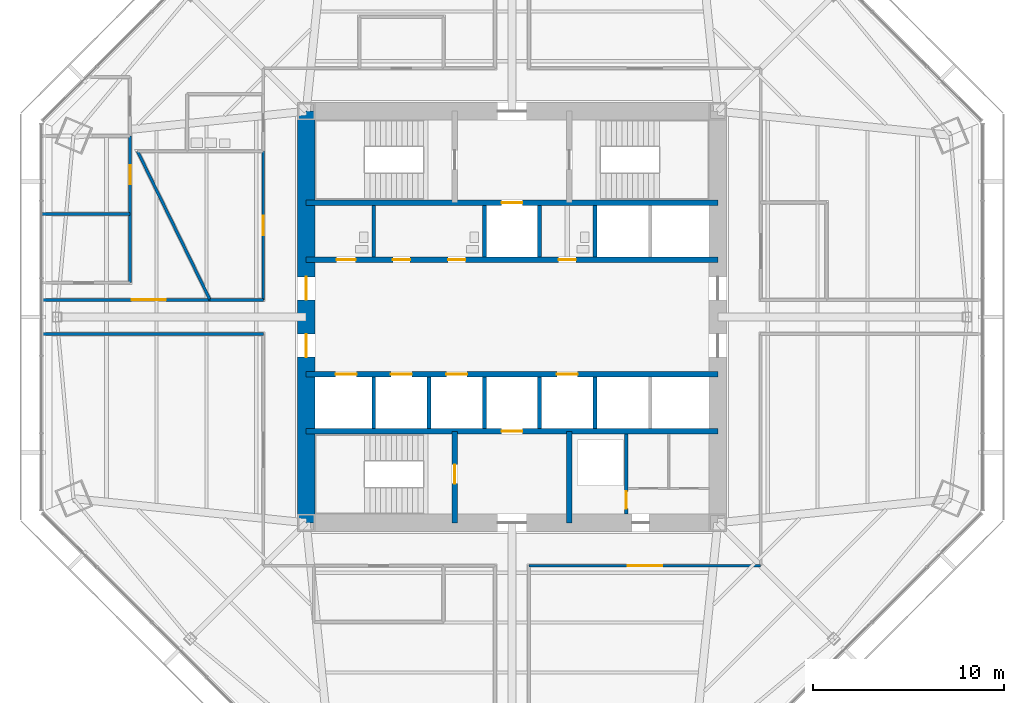
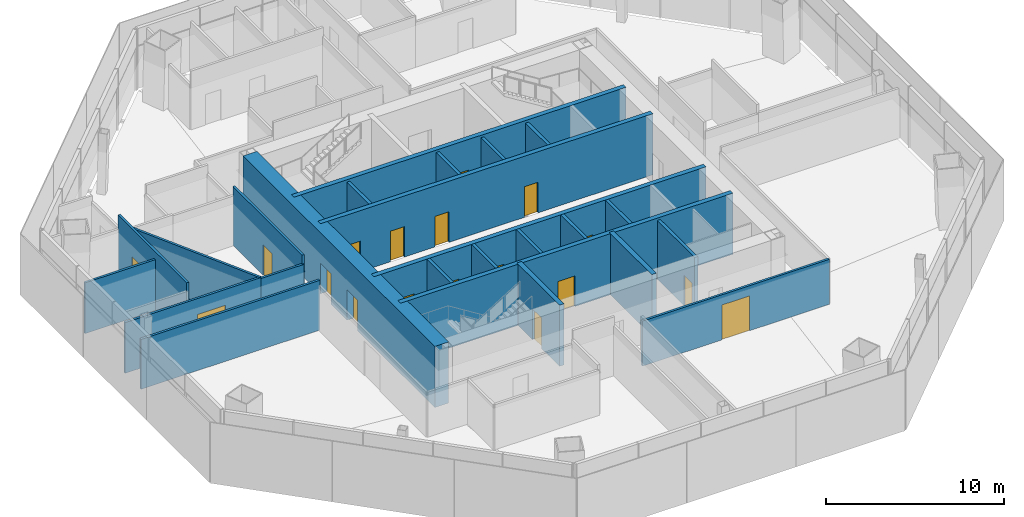
# One storey, part 9 of 14: 25 walls, 18 doors, 18 openings.
"""IFC4 building model written with IfcOpenShell, lengths in metres."""

from ifc_helpers import new_model, si_unit, direction, frame, frame_2d, origin, place, context, subcontext, project, spatial, rectangle, extrude, material, layer, layer_set, type_object, element, fill, save


model = new_model("IFC4")

# Units and contexts
model_context = context("Model", 3, precision=1e-05, world=origin(), true_north=direction((0.0, 1.0)))
body_context = subcontext(model_context, "Body", "Model", "MODEL_VIEW")
ifc_project = project(units=[si_unit("LENGTHUNIT", "METRE"), si_unit("AREAUNIT", "SQUARE_METRE"), si_unit("VOLUMEUNIT", "CUBIC_METRE"), si_unit("PLANEANGLEUNIT", "RADIAN"), si_unit("MASSUNIT", "GRAM", prefix="KILO")], contexts=[model_context])

# Site, building, storey
site_placement = place(None, origin())
site = spatial("IfcSite", under=ifc_project, at=site_placement, CompositionType="ELEMENT")
building_placement = place(site_placement, origin())
building = spatial("IfcBuilding", under=site, at=building_placement, Name="Mashrafa Tower", CompositionType="ELEMENT")
storey_placement = place(building_placement, frame((0.0, 0.0, 117.60009765625)))
storey = spatial("IfcBuildingStorey", under=building, at=storey_placement, Name="L26", CompositionType="ELEMENT", Elevation=117.60009765625)

# Wall, opening, door
ifc_material_1 = material(Name="Concrete masonry unit", Category="masonry")
ifc_layer_1 = layer(ifc_material_1, 0.199951171875)
ifc_layer_set_1 = layer_set([ifc_layer_1], Name="Blockwork wall 200 2 hr")
wall_type_1 = type_object("IfcWallType", Name="Blockwork wall 200 2 hr", PredefinedType="PARTITIONING", material=ifc_layer_set_1)
wall_1_placement = place(storey_placement, frame((6.0, -10.35009765625, 0.0), z_axis=(0.0, 0.0, 1.0), x_axis=(0.0, 1.0, 0.0)))
wall_1 = element("IfcWall", 1, at=wall_1_placement, inside=storey, type_object=wall_type_1, Name="Riser enclosure wall L26", PredefinedType="PARTITIONING", context=body_context, shape_type="SweptSolid", body=[
    extrude(rectangle(XDim=4.2001953125, YDim=0.199951171875, at=frame_2d((2.10009765625, 0.0))), origin(), (0.0, 0.0, 1.0), 4.034912109375),
])
opening_1_placement = place(wall_1_placement, frame((0.300048828125, 0.0, 0.0)))
opening_1 = element("IfcOpeningElement", 2, at=opening_1_placement, cuts=wall_1, Name="Opening 26.028", PredefinedType="OPENING", context=body_context, shape_type="SweptSolid", body=[
    extrude(rectangle(XDim=0.89990234375, YDim=2.10009765625, at=frame_2d((0.449951171875, 1.050048828125))), frame((0.0, 0.10986328125, 0.0), z_axis=(0.0, -1.0, 0.0), x_axis=(1.0, 0.0, 0.0)), (0.0, 0.0, 1.0), 0.219970703125),
])
ifc_material_2 = material(Name="Steel door", Category="steel")
door_type_1 = type_object("IfcDoorType", Name="Service door 900 x 2100 90 min", OperationType="USERDEFINED", PredefinedType="DOOR", material=ifc_material_2)
door_1_placement = place(opening_1_placement, origin())
door_1 = element("IfcDoor", 3, at=door_1_placement, inside=storey, type_object=door_type_1, Name="Riser door L26", OperationType="SINGLE_SWING_LEFT", OverallHeight=2.10009765625, OverallWidth=0.89990234375, PredefinedType="DOOR", context=body_context, shape_type="SweptSolid", body=[
    extrude(rectangle(XDim=0.89990234375, YDim=2.10009765625, at=frame_2d((0.449951171875, 1.050048828125))), frame((0.0, 0.02490234375, 0.0), z_axis=(0.0, -1.0, 0.0), x_axis=(1.0, 0.0, 0.0)), (0.0, 0.0, 1.0), 0.050048828125),
])
fill(opening_1, door_1)

# Wall, openings, doors
ifc_material_3 = material(Name="Concrete C60/75", Category="concrete")
ifc_layer_2 = layer(ifc_material_3, 0.300048828125)
ifc_layer_set_2 = layer_set([ifc_layer_2], Name="Core wall 300 C60/75")
wall_type_2 = type_object("IfcWallType", Name="Core wall 300 C60/75", PredefinedType="SOLIDWALL", material=ifc_layer_set_2)
wall_2_placement = place(storey_placement, frame((-10.800048828125, 3.0, 0.0), z_axis=(0.0, 0.0, 1.0), x_axis=(1.0, 0.0, 0.0)))
wall_2 = element("IfcWall", 4, at=wall_2_placement, inside=storey, type_object=wall_type_2, Name="Core wall CH-N L26", PredefinedType="SOLIDWALL", context=body_context, shape_type="SweptSolid", body=[
    extrude(rectangle(XDim=21.60009765625, YDim=0.300048828125, at=frame_2d((10.800048828125, 0.0))), origin(), (0.0, 0.0, 1.0), 4.199951171875),
])
opening_2_placement = place(wall_2_placement, frame((1.60009765625, 0.0, 0.0)))
opening_2 = element("IfcOpeningElement", 5, at=opening_2_placement, cuts=wall_2, Name="Opening 26.031", PredefinedType="OPENING", context=body_context, shape_type="SweptSolid", body=[
    extrude(rectangle(XDim=1.0, YDim=2.10009765625, at=frame_2d((0.5, 1.050048828125))), frame((0.0, 0.159912109375, 0.0), z_axis=(0.0, -1.0, 0.0), x_axis=(1.0, 0.0, 0.0)), (0.0, 0.0, 1.0), 0.320068359375),
])
opening_3_placement = place(wall_2_placement, frame((4.550048828125, 0.0, 0.0)))
opening_3 = element("IfcOpeningElement", 6, at=opening_3_placement, cuts=wall_2, Name="Opening 26.032", PredefinedType="OPENING", context=body_context, shape_type="SweptSolid", body=[
    extrude(rectangle(XDim=0.89990234375, YDim=2.10009765625, at=frame_2d((0.449951171875, 1.050048828125))), frame((0.0, 0.159912109375, 0.0), z_axis=(0.0, -1.0, 0.0), x_axis=(1.0, 0.0, 0.0)), (0.0, 0.0, 1.0), 0.320068359375),
])
opening_4_placement = place(wall_2_placement, frame((7.449951171875, 0.0, 0.0)))
opening_4 = element("IfcOpeningElement", 7, at=opening_4_placement, cuts=wall_2, Name="Opening 26.033", PredefinedType="OPENING", context=body_context, shape_type="SweptSolid", body=[
    extrude(rectangle(XDim=0.89990234375, YDim=2.10009765625, at=frame_2d((0.449951171875, 1.050048828125))), frame((0.0, 0.159912109375, 0.0), z_axis=(0.0, -1.0, 0.0), x_axis=(1.0, 0.0, 0.0)), (0.0, 0.0, 1.0), 0.320068359375),
])
opening_5_placement = place(wall_2_placement, frame((13.25, 0.0, 0.0)))
opening_5 = element("IfcOpeningElement", 8, at=opening_5_placement, cuts=wall_2, Name="Opening 26.034", PredefinedType="OPENING", context=body_context, shape_type="SweptSolid", body=[
    extrude(rectangle(XDim=0.89990234375, YDim=2.10009765625, at=frame_2d((0.449951171875, 1.050048828125))), frame((0.0, 0.159912109375, 0.0), z_axis=(0.0, -1.0, 0.0), x_axis=(1.0, 0.0, 0.0)), (0.0, 0.0, 1.0), 0.320068359375),
])
ifc_material_4 = material(Name="Timber door", Category="wood")
door_type_2 = type_object("IfcDoorType", Name="Accessible toilet door 1000 x 2100", OperationType="USERDEFINED", PredefinedType="DOOR", material=ifc_material_4)
door_2_placement = place(opening_2_placement, origin())
door_2 = element("IfcDoor", 9, at=door_2_placement, inside=storey, type_object=door_type_2, Name="Accessible WC L26 door", OperationType="SINGLE_SWING_RIGHT", OverallHeight=2.10009765625, OverallWidth=1.0, PredefinedType="DOOR", context=body_context, shape_type="SweptSolid", body=[
    extrude(rectangle(XDim=1.0, YDim=2.10009765625, at=frame_2d((0.5, 1.050048828125))), frame((0.0, 0.02490234375, 0.0), z_axis=(0.0, -1.0, 0.0), x_axis=(1.0, 0.0, 0.0)), (0.0, 0.0, 1.0), 0.050048828125),
])
fill(opening_2, door_2)
ifc_material_5 = material(Name="Timber door", Category="wood")
door_type_3 = type_object("IfcDoorType", Name="Toilet door 900 x 2100", OperationType="USERDEFINED", PredefinedType="DOOR", material=ifc_material_5)
door_3_placement = place(opening_3_placement, origin())
door_3 = element("IfcDoor", 10, at=door_3_placement, inside=storey, type_object=door_type_3, Name="WC Male L26 door", OperationType="SINGLE_SWING_LEFT", OverallHeight=2.10009765625, OverallWidth=0.89990234375, PredefinedType="DOOR", context=body_context, shape_type="SweptSolid", body=[
    extrude(rectangle(XDim=0.89990234375, YDim=2.10009765625, at=frame_2d((0.449951171875, 1.050048828125))), frame((0.0, 0.02490234375, 0.0), z_axis=(0.0, -1.0, 0.0), x_axis=(1.0, 0.0, 0.0)), (0.0, 0.0, 1.0), 0.050048828125),
])
fill(opening_3, door_3)
door_4_placement = place(opening_4_placement, origin())
door_4 = element("IfcDoor", 11, at=door_4_placement, inside=storey, type_object=door_type_3, Name="WC Male L26 door", OperationType="SINGLE_SWING_RIGHT", OverallHeight=2.10009765625, OverallWidth=0.89990234375, PredefinedType="DOOR", context=body_context, shape_type="SweptSolid", body=[
    extrude(rectangle(XDim=0.89990234375, YDim=2.10009765625, at=frame_2d((0.449951171875, 1.050048828125))), frame((0.0, 0.02490234375, 0.0), z_axis=(0.0, -1.0, 0.0), x_axis=(1.0, 0.0, 0.0)), (0.0, 0.0, 1.0), 0.050048828125),
])
fill(opening_4, door_4)
door_5_placement = place(opening_5_placement, origin())
door_5 = element("IfcDoor", 12, at=door_5_placement, inside=storey, type_object=door_type_3, Name="WC Female L26 door", OperationType="SINGLE_SWING_LEFT", OverallHeight=2.10009765625, OverallWidth=0.89990234375, PredefinedType="DOOR", context=body_context, shape_type="SweptSolid", body=[
    extrude(rectangle(XDim=0.89990234375, YDim=2.10009765625, at=frame_2d((0.449951171875, 1.050048828125))), frame((0.0, 0.02490234375, 0.0), z_axis=(0.0, -1.0, 0.0), x_axis=(1.0, 0.0, 0.0)), (0.0, 0.0, 1.0), 0.050048828125),
])
fill(opening_5, door_5)

# Wall, opening, door
wall_3_placement = place(storey_placement, frame((-10.800048828125, 6.0, 0.0), z_axis=(0.0, 0.0, 1.0), x_axis=(1.0, 0.0, 0.0)))
wall_3 = element("IfcWall", 13, at=wall_3_placement, inside=storey, type_object=wall_type_2, Name="Core wall CB-N L26", PredefinedType="SOLIDWALL", context=body_context, shape_type="SweptSolid", body=[
    extrude(rectangle(XDim=21.60009765625, YDim=0.300048828125, at=frame_2d((10.800048828125, 0.0))), origin(), (0.0, 0.0, 1.0), 4.199951171875),
])
opening_6_placement = place(wall_3_placement, frame((10.25, 0.0, 0.0)))
opening_6 = element("IfcOpeningElement", 14, at=opening_6_placement, cuts=wall_3, Name="Opening 26.F1", PredefinedType="OPENING", context=body_context, shape_type="SweptSolid", body=[
    extrude(rectangle(XDim=1.10009765625, YDim=2.10009765625, at=frame_2d((0.550048828125, 1.050048828125))), frame((0.0, 0.159912109375, 0.0), z_axis=(0.0, -1.0, 0.0), x_axis=(1.0, 0.0, 0.0)), (0.0, 0.0, 1.0), 0.320068359375),
])
ifc_material_6 = material(Name="Steel door", Category="steel")
door_type_4 = type_object("IfcDoorType", Name="Lift landing door 1100 x 2100 90 min", OperationType="DOUBLE_DOOR_SLIDING", PredefinedType="DOOR", material=ifc_material_6)
door_6_placement = place(opening_6_placement, origin())
door_6 = element("IfcDoor", 15, at=door_6_placement, inside=storey, type_object=door_type_4, Name="Lift landing door F1 L26", OperationType="DOUBLE_DOOR_SLIDING", OverallHeight=2.10009765625, OverallWidth=1.10009765625, PredefinedType="DOOR", context=body_context, shape_type="SweptSolid", body=[
    extrude(rectangle(XDim=1.10009765625, YDim=2.10009765625, at=frame_2d((0.550048828125, 1.050048828125))), frame((0.0, 0.02490234375, 0.0), z_axis=(0.0, -1.0, 0.0), x_axis=(1.0, 0.0, 0.0)), (0.0, 0.0, 1.0), 0.050048828125),
])
fill(opening_6, door_6)

# Wall, openings, doors
wall_4_placement = place(storey_placement, frame((-10.800048828125, -3.0, 0.0), z_axis=(0.0, 0.0, 1.0), x_axis=(1.0, 0.0, 0.0)))
wall_4 = element("IfcWall", 16, at=wall_4_placement, inside=storey, type_object=wall_type_2, Name="Core wall CH-S L26", PredefinedType="SOLIDWALL", context=body_context, shape_type="SweptSolid", body=[
    extrude(rectangle(XDim=21.60009765625, YDim=0.300048828125, at=frame_2d((10.800048828125, 0.0))), origin(), (0.0, 0.0, 1.0), 4.199951171875),
])
opening_7_placement = place(wall_4_placement, frame((1.550048828125, 0.0, 0.0)))
opening_7 = element("IfcOpeningElement", 17, at=opening_7_placement, cuts=wall_4, Name="Opening 26.B1", PredefinedType="OPENING", context=body_context, shape_type="SweptSolid", body=[
    extrude(rectangle(XDim=1.10009765625, YDim=2.10009765625, at=frame_2d((0.550048828125, 1.050048828125))), frame((0.0, 0.159912109375, 0.0), z_axis=(0.0, -1.0, 0.0), x_axis=(1.0, 0.0, 0.0)), (0.0, 0.0, 1.0), 0.320068359375),
])
opening_8_placement = place(wall_4_placement, frame((4.449951171875, 0.0, 0.0)))
opening_8 = element("IfcOpeningElement", 18, at=opening_8_placement, cuts=wall_4, Name="Opening 26.B2", PredefinedType="OPENING", context=body_context, shape_type="SweptSolid", body=[
    extrude(rectangle(XDim=1.10009765625, YDim=2.10009765625, at=frame_2d((0.550048828125, 1.050048828125))), frame((0.0, 0.159912109375, 0.0), z_axis=(0.0, -1.0, 0.0), x_axis=(1.0, 0.0, 0.0)), (0.0, 0.0, 1.0), 0.320068359375),
])
opening_9_placement = place(wall_4_placement, frame((7.35009765625, 0.0, 0.0)))
opening_9 = element("IfcOpeningElement", 19, at=opening_9_placement, cuts=wall_4, Name="Opening 26.B3", PredefinedType="OPENING", context=body_context, shape_type="SweptSolid", body=[
    extrude(rectangle(XDim=1.10009765625, YDim=2.10009765625, at=frame_2d((0.550048828125, 1.050048828125))), frame((0.0, 0.159912109375, 0.0), z_axis=(0.0, -1.0, 0.0), x_axis=(1.0, 0.0, 0.0)), (0.0, 0.0, 1.0), 0.320068359375),
])
opening_10_placement = place(wall_4_placement, frame((13.14990234375, 0.0, 0.0)))
opening_10 = element("IfcOpeningElement", 20, at=opening_10_placement, cuts=wall_4, Name="Opening 26.B4", PredefinedType="OPENING", context=body_context, shape_type="SweptSolid", body=[
    extrude(rectangle(XDim=1.10009765625, YDim=2.10009765625, at=frame_2d((0.550048828125, 1.050048828125))), frame((0.0, 0.159912109375, 0.0), z_axis=(0.0, -1.0, 0.0), x_axis=(1.0, 0.0, 0.0)), (0.0, 0.0, 1.0), 0.320068359375),
])
door_7_placement = place(opening_7_placement, origin())
door_7 = element("IfcDoor", 21, at=door_7_placement, inside=storey, type_object=door_type_4, Name="Lift landing door B1 L26", OperationType="DOUBLE_DOOR_SLIDING", OverallHeight=2.10009765625, OverallWidth=1.10009765625, PredefinedType="DOOR", context=body_context, shape_type="SweptSolid", body=[
    extrude(rectangle(XDim=1.10009765625, YDim=2.10009765625, at=frame_2d((0.550048828125, 1.050048828125))), frame((0.0, 0.02490234375, 0.0), z_axis=(0.0, -1.0, 0.0), x_axis=(1.0, 0.0, 0.0)), (0.0, 0.0, 1.0), 0.050048828125),
])
fill(opening_7, door_7)
door_8_placement = place(opening_8_placement, origin())
door_8 = element("IfcDoor", 22, at=door_8_placement, inside=storey, type_object=door_type_4, Name="Lift landing door B2 L26", OperationType="DOUBLE_DOOR_SLIDING", OverallHeight=2.10009765625, OverallWidth=1.10009765625, PredefinedType="DOOR", context=body_context, shape_type="SweptSolid", body=[
    extrude(rectangle(XDim=1.10009765625, YDim=2.10009765625, at=frame_2d((0.550048828125, 1.050048828125))), frame((0.0, 0.02490234375, 0.0), z_axis=(0.0, -1.0, 0.0), x_axis=(1.0, 0.0, 0.0)), (0.0, 0.0, 1.0), 0.050048828125),
])
fill(opening_8, door_8)
door_9_placement = place(opening_9_placement, origin())
door_9 = element("IfcDoor", 23, at=door_9_placement, inside=storey, type_object=door_type_4, Name="Lift landing door B3 L26", OperationType="DOUBLE_DOOR_SLIDING", OverallHeight=2.10009765625, OverallWidth=1.10009765625, PredefinedType="DOOR", context=body_context, shape_type="SweptSolid", body=[
    extrude(rectangle(XDim=1.10009765625, YDim=2.10009765625, at=frame_2d((0.550048828125, 1.050048828125))), frame((0.0, 0.02490234375, 0.0), z_axis=(0.0, -1.0, 0.0), x_axis=(1.0, 0.0, 0.0)), (0.0, 0.0, 1.0), 0.050048828125),
])
fill(opening_9, door_9)
door_10_placement = place(opening_10_placement, origin())
door_10 = element("IfcDoor", 24, at=door_10_placement, inside=storey, type_object=door_type_4, Name="Lift landing door B4 L26", OperationType="DOUBLE_DOOR_SLIDING", OverallHeight=2.10009765625, OverallWidth=1.10009765625, PredefinedType="DOOR", context=body_context, shape_type="SweptSolid", body=[
    extrude(rectangle(XDim=1.10009765625, YDim=2.10009765625, at=frame_2d((0.550048828125, 1.050048828125))), frame((0.0, 0.02490234375, 0.0), z_axis=(0.0, -1.0, 0.0), x_axis=(1.0, 0.0, 0.0)), (0.0, 0.0, 1.0), 0.050048828125),
])
fill(opening_10, door_10)

# Wall, opening, door
wall_5_placement = place(storey_placement, frame((-10.800048828125, -6.0, 0.0), z_axis=(0.0, 0.0, 1.0), x_axis=(1.0, 0.0, 0.0)))
wall_5 = element("IfcWall", 25, at=wall_5_placement, inside=storey, type_object=wall_type_2, Name="Core wall CB-S L26", PredefinedType="SOLIDWALL", context=body_context, shape_type="SweptSolid", body=[
    extrude(rectangle(XDim=21.60009765625, YDim=0.300048828125, at=frame_2d((10.800048828125, 0.0))), origin(), (0.0, 0.0, 1.0), 4.199951171875),
])
opening_11_placement = place(wall_5_placement, frame((10.25, 0.0, 0.0)))
opening_11 = element("IfcOpeningElement", 26, at=opening_11_placement, cuts=wall_5, Name="Opening 26.F2", PredefinedType="OPENING", context=body_context, shape_type="SweptSolid", body=[
    extrude(rectangle(XDim=1.10009765625, YDim=2.10009765625, at=frame_2d((0.550048828125, 1.050048828125))), frame((0.0, 0.159912109375, 0.0), z_axis=(0.0, -1.0, 0.0), x_axis=(1.0, 0.0, 0.0)), (0.0, 0.0, 1.0), 0.320068359375),
])
door_11_placement = place(opening_11_placement, origin())
door_11 = element("IfcDoor", 27, at=door_11_placement, inside=storey, type_object=door_type_4, Name="Lift landing door F2 L26", OperationType="DOUBLE_DOOR_SLIDING", OverallHeight=2.10009765625, OverallWidth=1.10009765625, PredefinedType="DOOR", context=body_context, shape_type="SweptSolid", body=[
    extrude(rectangle(XDim=1.10009765625, YDim=2.10009765625, at=frame_2d((0.550048828125, 1.050048828125))), frame((0.0, 0.02490234375, 0.0), z_axis=(0.0, -1.0, 0.0), x_axis=(1.0, 0.0, 0.0)), (0.0, 0.0, 1.0), 0.050048828125),
])
fill(opening_11, door_11)

wall_6_placement = place(storey_placement, frame((-3.0, -6.0, 0.0), z_axis=(0.0, 0.0, 1.0), x_axis=(0.0, -1.0, 0.0)))
wall_6 = element("IfcWall", 28, at=wall_6_placement, inside=storey, type_object=wall_type_2, Name="Core wall CX-SW L26", PredefinedType="SOLIDWALL", context=body_context, shape_type="SweptSolid", body=[
    extrude(rectangle(XDim=4.800048828125, YDim=0.300048828125, at=frame_2d((2.39990234375, 0.0))), origin(), (0.0, 0.0, 1.0), 4.199951171875),
])
opening_12_placement = place(wall_6_placement, frame((1.75, 0.0, 0.0)))
opening_12 = element("IfcOpeningElement", 29, at=opening_12_placement, cuts=wall_6, Name="Opening 26.026", PredefinedType="OPENING", context=body_context, shape_type="SweptSolid", body=[
    extrude(rectangle(XDim=1.0, YDim=2.10009765625, at=frame_2d((0.5, 1.050048828125))), frame((0.0, 0.159912109375, 0.0), z_axis=(0.0, -1.0, 0.0), x_axis=(1.0, 0.0, 0.0)), (0.0, 0.0, 1.0), 0.320068359375),
])
ifc_material_7 = material(Name="Steel door", Category="steel")
door_type_5 = type_object("IfcDoorType", Name="Stair door 1000 x 2100 90 min", OperationType="USERDEFINED", PredefinedType="DOOR", material=ifc_material_7)
door_12_placement = place(opening_12_placement, frame((1.0, 0.0, 0.0), z_axis=(0.0, 0.0, 1.0), x_axis=(-1.0, 0.0, 0.0)))
door_12 = element("IfcDoor", 30, at=door_12_placement, inside=storey, type_object=door_type_5, Name="Stair S3 door L26", OperationType="SINGLE_SWING_RIGHT", OverallHeight=2.10009765625, OverallWidth=1.0, PredefinedType="DOOR", context=body_context, shape_type="SweptSolid", body=[
    extrude(rectangle(XDim=1.0, YDim=2.10009765625, at=frame_2d((0.5, 1.050048828125))), frame((0.0, 0.02490234375, 0.0), z_axis=(0.0, -1.0, 0.0), x_axis=(1.0, 0.0, 0.0)), (0.0, 0.0, 1.0), 0.050048828125),
])
fill(opening_12, door_12)

# Wall
wall_7_placement = place(storey_placement, frame((3.0, -6.0, 0.0), z_axis=(0.0, 0.0, 1.0), x_axis=(0.0, -1.0, 0.0)))
element("IfcWall", 31, at=wall_7_placement, inside=storey, type_object=wall_type_2, Name="Core wall CX-SE L26", PredefinedType="SOLIDWALL", context=body_context, shape_type="SweptSolid", body=[
    extrude(rectangle(XDim=4.800048828125, YDim=0.300048828125, at=frame_2d((2.39990234375, 0.0))), origin(), (0.0, 0.0, 1.0), 4.199951171875),
])

# Wall, openings, doors
ifc_material_8 = material(Name="Concrete C60/75", Category="concrete")
ifc_layer_3 = layer(ifc_material_8, 0.89990234375)
ifc_layer_set_3 = layer_set([ifc_layer_3], Name="Core wall 900 C60/75")
wall_type_3 = type_object("IfcWallType", Name="Core wall 900 C60/75", PredefinedType="SOLIDWALL", material=ifc_layer_set_3)
wall_8_placement = place(storey_placement, frame((-10.800048828125, 10.800048828125, 0.0), z_axis=(0.0, 0.0, 1.0), x_axis=(0.0, -1.0, 0.0)))
wall_8 = element("IfcWall", 32, at=wall_8_placement, inside=storey, type_object=wall_type_3, Name="Core wall CW-W L26", PredefinedType="SOLIDWALL", context=body_context, shape_type="SweptSolid", body=[
    extrude(rectangle(XDim=21.60009765625, YDim=0.89990234375, at=frame_2d((10.800048828125, 0.0))), origin(), (0.0, 0.0, 1.0), 4.199951171875),
])
opening_13_placement = place(wall_8_placement, frame((8.699951171875, 0.0, 0.0)))
opening_13 = element("IfcOpeningElement", 33, at=opening_13_placement, cuts=wall_8, Name="Opening 26.019", PredefinedType="OPENING", context=body_context, shape_type="SweptSolid", body=[
    extrude(rectangle(XDim=1.199951171875, YDim=2.10009765625, at=frame_2d((0.60009765625, 1.050048828125))), frame((0.0, 0.4599609375, 0.0), z_axis=(0.0, -1.0, 0.0), x_axis=(1.0, 0.0, 0.0)), (0.0, 0.0, 1.0), 0.919921875),
])
opening_14_placement = place(wall_8_placement, frame((11.699951171875, 0.0, 0.0)))
opening_14 = element("IfcOpeningElement", 34, at=opening_14_placement, cuts=wall_8, Name="Opening 26.021", PredefinedType="OPENING", context=body_context, shape_type="SweptSolid", body=[
    extrude(rectangle(XDim=1.199951171875, YDim=2.10009765625, at=frame_2d((0.60009765625, 1.050048828125))), frame((0.0, 0.4599609375, 0.0), z_axis=(0.0, -1.0, 0.0), x_axis=(1.0, 0.0, 0.0)), (0.0, 0.0, 1.0), 0.919921875),
])
ifc_material_9 = material(Name="Steel door", Category="steel")
door_type_6 = type_object("IfcDoorType", Name="Lift hall door 1200 x 2100 90 min", OperationType="USERDEFINED", PredefinedType="DOOR", material=ifc_material_9)
door_13_placement = place(opening_13_placement, frame((1.199951171875, 0.0, 0.0), z_axis=(0.0, 0.0, 1.0), x_axis=(-1.0, 0.0, 0.0)))
door_13 = element("IfcDoor", 35, at=door_13_placement, inside=storey, type_object=door_type_6, Name="Lift hall door west L26", OperationType="SINGLE_SWING_RIGHT", OverallHeight=2.10009765625, OverallWidth=1.199951171875, PredefinedType="DOOR", context=body_context, shape_type="SweptSolid", body=[
    extrude(rectangle(XDim=1.199951171875, YDim=2.10009765625, at=frame_2d((0.60009765625, 1.050048828125))), frame((0.0, 0.02490234375, 0.0), z_axis=(0.0, -1.0, 0.0), x_axis=(1.0, 0.0, 0.0)), (0.0, 0.0, 1.0), 0.050048828125),
])
fill(opening_13, door_13)
door_14_placement = place(opening_14_placement, frame((1.199951171875, 0.0, 0.0), z_axis=(0.0, 0.0, 1.0), x_axis=(-1.0, 0.0, 0.0)))
door_14 = element("IfcDoor", 36, at=door_14_placement, inside=storey, type_object=door_type_6, Name="Lift hall door west L26", OperationType="SINGLE_SWING_LEFT", OverallHeight=2.10009765625, OverallWidth=1.199951171875, PredefinedType="DOOR", context=body_context, shape_type="SweptSolid", body=[
    extrude(rectangle(XDim=1.199951171875, YDim=2.10009765625, at=frame_2d((0.60009765625, 1.050048828125))), frame((0.0, 0.02490234375, 0.0), z_axis=(0.0, -1.0, 0.0), x_axis=(1.0, 0.0, 0.0)), (0.0, 0.0, 1.0), 0.050048828125),
])
fill(opening_14, door_14)

# Wall, opening, door
ifc_material_10 = material(Name="Gypsum board on steel studs", Category="steel")
ifc_layer_4 = layer(ifc_material_10, 0.14990234375)
ifc_layer_set_4 = layer_set([ifc_layer_4], Name="Corridor partition 150 1 hr")
wall_type_4 = type_object("IfcWallType", Name="Corridor partition 150 1 hr", PredefinedType="PARTITIONING", material=ifc_layer_set_4)
wall_9_placement = place(storey_placement, frame((-13.050048828125, 8.700927734375, 0.0), z_axis=(0.0, 0.0, 1.0), x_axis=(0.0, -1.0, 0.0)))
wall_9 = element("IfcWall", 37, at=wall_9_placement, inside=storey, type_object=wall_type_4, Name="Corridor wall L26-001", PredefinedType="PARTITIONING", context=body_context, shape_type="SweptSolid", body=[
    extrude(rectangle(XDim=7.801025390625, YDim=0.14990234375, at=frame_2d((3.900390625, 0.0))), origin(), (0.0, 0.0, 1.0), 4.034912109375),
])
opening_15_placement = place(wall_9_placement, frame((3.400390625, 0.0, 0.0)))
opening_15 = element("IfcOpeningElement", 38, at=opening_15_placement, cuts=wall_9, Name="Opening 26.001", PredefinedType="OPENING", context=body_context, shape_type="SweptSolid", body=[
    extrude(rectangle(XDim=1.0, YDim=2.10009765625, at=frame_2d((0.5, 1.050048828125))), frame((0.0, 0.0849609375, 0.0), z_axis=(0.0, -1.0, 0.0), x_axis=(1.0, 0.0, 0.0)), (0.0, 0.0, 1.0), 0.169921875),
])
ifc_material_11 = material(Name="Timber door", Category="wood")
door_type_7 = type_object("IfcDoorType", Name="Door 1000 x 2100", OperationType="USERDEFINED", PredefinedType="DOOR", material=ifc_material_11)
door_15_placement = place(opening_15_placement, frame((1.0, 0.0, 0.0), z_axis=(0.0, 0.0, 1.0), x_axis=(-1.0, 0.0, 0.0)))
door_15 = element("IfcDoor", 39, at=door_15_placement, inside=storey, type_object=door_type_7, Name="Musallah Prayer Room 26 door", OperationType="SINGLE_SWING_LEFT", OverallHeight=2.10009765625, OverallWidth=1.0, PredefinedType="DOOR", context=body_context, shape_type="SweptSolid", body=[
    extrude(rectangle(XDim=1.0, YDim=2.10009765625, at=frame_2d((0.5, 1.050048828125))), frame((0.0, 0.02490234375, 0.0), z_axis=(0.0, -1.0, 0.0), x_axis=(1.0, 0.0, 0.0)), (0.0, 0.0, 1.0), 0.050048828125),
])
fill(opening_15, door_15)

# Wall
wall_10_placement = place(storey_placement, frame((-13.050048828125, 0.89990234375, 0.0), z_axis=(0.0, 0.0, 1.0), x_axis=(-1.0, 0.0, 0.0)))
element("IfcWall", 40, at=wall_10_placement, inside=storey, type_object=wall_type_4, Name="Corridor wall L26-002", PredefinedType="PARTITIONING", context=body_context, shape_type="SweptSolid", body=[
    extrude(rectangle(XDim=2.796630859375, YDim=0.14990234375, at=frame_2d((1.3984375, 0.0))), origin(), (0.0, 0.0, 1.0), 3.425537109375),
])

# Wall, opening, door
wall_11_placement = place(storey_placement, frame((-15.844482421875, 0.89990234375, 0.0), z_axis=(0.0, 0.0, 1.0), x_axis=(-1.0, 0.0, 0.0)))
wall_11 = element("IfcWall", 41, at=wall_11_placement, inside=storey, type_object=wall_type_4, Name="Corridor wall L26-014", PredefinedType="PARTITIONING", context=body_context, shape_type="SweptSolid", body=[
    extrude(rectangle(XDim=8.82763671875, YDim=0.14990234375, at=frame_2d((4.413818359375, 0.0))), origin(), (0.0, 0.0, 1.0), 3.491455078125),
])
opening_16_placement = place(wall_11_placement, frame((2.316650390625, 0.0, 0.0)))
opening_16 = element("IfcOpeningElement", 42, at=opening_16_placement, cuts=wall_11, Name="Opening 26.015", PredefinedType="OPENING", context=body_context, shape_type="SweptSolid", body=[
    extrude(rectangle(XDim=1.800048828125, YDim=2.39990234375, at=frame_2d((0.89990234375, 1.199951171875))), frame((0.0, 0.0849609375, 0.0), z_axis=(0.0, -1.0, 0.0), x_axis=(1.0, 0.0, 0.0)), (0.0, 0.0, 1.0), 0.169921875),
])
ifc_material_12 = material(Name="Timber door", Category="wood")
door_type_8 = type_object("IfcDoorType", Name="Door pair 1800 x 2400", OperationType="DOUBLE_DOOR_SINGLE_SWING", PredefinedType="DOOR", material=ifc_material_12)
door_16_placement = place(opening_16_placement, frame((1.800048828125, 0.0, 0.0), z_axis=(0.0, 0.0, 1.0), x_axis=(-1.0, 0.0, 0.0)))
door_16 = element("IfcDoor", 43, at=door_16_placement, inside=storey, type_object=door_type_8, Name="Policy and Programmes Office 26-NW door", OperationType="DOUBLE_DOOR_SINGLE_SWING", OverallHeight=2.39990234375, OverallWidth=1.800048828125, PredefinedType="DOOR", context=body_context, shape_type="SweptSolid", body=[
    extrude(rectangle(XDim=1.800048828125, YDim=2.39990234375, at=frame_2d((0.89990234375, 1.199951171875))), frame((0.0, 0.02490234375, 0.0), z_axis=(0.0, -1.0, 0.0), x_axis=(1.0, 0.0, 0.0)), (0.0, 0.0, 1.0), 0.050048828125),
])
fill(opening_16, door_16)

# Wall
wall_12_placement = place(storey_placement, frame((-24.669921875, -0.89990234375, 0.0), z_axis=(0.0, 0.0, 1.0), x_axis=(1.0, 0.0, 0.0)))
element("IfcWall", 44, at=wall_12_placement, inside=storey, type_object=wall_type_4, Name="Corridor wall L26-019", PredefinedType="PARTITIONING", context=body_context, shape_type="SweptSolid", body=[
    extrude(rectangle(XDim=11.619873046875, YDim=0.14990234375, at=frame_2d((5.81005859375, 0.0))), origin(), (0.0, 0.0, 1.0), 3.425537109375),
])

# Wall, opening, door
wall_13_placement = place(storey_placement, frame((0.89990234375, -13.050048828125, 0.0), z_axis=(0.0, 0.0, 1.0), x_axis=(1.0, 0.0, 0.0)))
wall_13 = element("IfcWall", 45, at=wall_13_placement, inside=storey, type_object=wall_type_4, Name="Corridor wall L26-025", PredefinedType="PARTITIONING", context=body_context, shape_type="SweptSolid", body=[
    extrude(rectangle(XDim=12.150146484375, YDim=0.14990234375, at=frame_2d((6.0751953125, 0.0))), origin(), (0.0, 0.0, 1.0), 3.097900390625),
])
opening_17_placement = place(wall_13_placement, frame((5.175048828125, 0.0, 0.0)))
opening_17 = element("IfcOpeningElement", 46, at=opening_17_placement, cuts=wall_13, Name="Opening 26.017", PredefinedType="OPENING", context=body_context, shape_type="SweptSolid", body=[
    extrude(rectangle(XDim=1.800048828125, YDim=2.39990234375, at=frame_2d((0.89990234375, 1.199951171875))), frame((0.0, 0.0849609375, 0.0), z_axis=(0.0, -1.0, 0.0), x_axis=(1.0, 0.0, 0.0)), (0.0, 0.0, 1.0), 0.169921875),
])
door_17_placement = place(opening_17_placement, frame((1.800048828125, 0.0, 0.0), z_axis=(0.0, 0.0, 1.0), x_axis=(-1.0, 0.0, 0.0)))
door_17 = element("IfcDoor", 47, at=door_17_placement, inside=storey, type_object=door_type_8, Name="Programme Delivery Office 26-SE door", OperationType="DOUBLE_DOOR_SINGLE_SWING", OverallHeight=2.39990234375, OverallWidth=1.800048828125, PredefinedType="DOOR", context=body_context, shape_type="SweptSolid", body=[
    extrude(rectangle(XDim=1.800048828125, YDim=2.39990234375, at=frame_2d((0.89990234375, 1.199951171875))), frame((0.0, 0.02490234375, 0.0), z_axis=(0.0, -1.0, 0.0), x_axis=(1.0, 0.0, 0.0)), (0.0, 0.0, 1.0), 0.050048828125),
])
fill(opening_17, door_17)

# Walls
ifc_material_13 = material(Name="Gypsum board on steel studs", Category="steel")
ifc_layer_5 = layer(ifc_material_13, 0.14990234375)
ifc_layer_set_5 = layer_set([ifc_layer_5], Name="Partition 150")
wall_type_5 = type_object("IfcWallType", Name="Partition 150", PredefinedType="PARTITIONING", material=ifc_layer_set_5)
wall_14_placement = place(storey_placement, frame((-19.64990234375, 8.699951171875, 0.0), z_axis=(0.0, 0.0, 1.0), x_axis=(0.438358227548, -0.898800347319, 0.0)))
element("IfcWall", 48, at=wall_14_placement, inside=storey, type_object=wall_type_5, Name="Partition wall L26-030", PredefinedType="PARTITIONING", context=body_context, shape_type="SweptSolid", body=[
    extrude(rectangle(XDim=8.67822265625, YDim=0.14990234375, at=frame_2d((4.339111328125, 0.0))), origin(), (0.0, 0.0, 1.0), 3.4990234375),
])
wall_15_placement = place(storey_placement, frame((-24.669921875, 5.39990234375, 0.0), z_axis=(0.0, 0.0, 1.0), x_axis=(1.0, 0.0, 0.0)))
element("IfcWall", 49, at=wall_15_placement, inside=storey, type_object=wall_type_5, Name="Partition wall L26-049", PredefinedType="PARTITIONING", context=body_context, shape_type="SweptSolid", body=[
    extrude(rectangle(XDim=4.6318359375, YDim=0.14990234375, at=frame_2d((2.31591796875, 0.0))), origin(), (0.0, 0.0, 1.0), 3.491455078125),
])

# Wall, opening, door
wall_16_placement = place(storey_placement, frame((-20.0380859375, 9.506103515625, 0.0), z_axis=(0.0, 0.0, 1.0), x_axis=(0.0, -1.0, 0.0)))
wall_16 = element("IfcWall", 50, at=wall_16_placement, inside=storey, type_object=wall_type_5, Name="Partition wall L26-050", PredefinedType="PARTITIONING", context=body_context, shape_type="SweptSolid", body=[
    extrude(rectangle(XDim=7.7060546875, YDim=0.14990234375, at=frame_2d((3.85302734375, 0.0))), origin(), (0.0, 0.0, 1.0), 4.034912109375),
])
opening_18_placement = place(wall_16_placement, frame((1.552978515625, 0.0, 0.0)))
opening_18 = element("IfcOpeningElement", 51, at=opening_18_placement, cuts=wall_16, Name="Opening 26.009", PredefinedType="OPENING", context=body_context, shape_type="SweptSolid", body=[
    extrude(rectangle(XDim=1.0, YDim=2.10009765625, at=frame_2d((0.5, 1.050048828125))), frame((0.0, 0.0849609375, 0.0), z_axis=(0.0, -1.0, 0.0), x_axis=(1.0, 0.0, 0.0)), (0.0, 0.0, 1.0), 0.169921875),
])
door_18_placement = place(opening_18_placement, frame((1.0, 0.0, 0.0), z_axis=(0.0, 0.0, 1.0), x_axis=(-1.0, 0.0, 0.0)))
door_18 = element("IfcDoor", 52, at=door_18_placement, inside=storey, type_object=door_type_7, Name="Case Officer's Office 26-NW-2 door", OperationType="SINGLE_SWING_RIGHT", OverallHeight=2.10009765625, OverallWidth=1.0, PredefinedType="DOOR", context=body_context, shape_type="SweptSolid", body=[
    extrude(rectangle(XDim=1.0, YDim=2.10009765625, at=frame_2d((0.5, 1.050048828125))), frame((0.0, 0.02490234375, 0.0), z_axis=(0.0, -1.0, 0.0), x_axis=(1.0, 0.0, 0.0)), (0.0, 0.0, 1.0), 0.050048828125),
])
fill(opening_18, door_18)

# Walls
ifc_material_14 = material(Name="Gypsum shaft wall on steel studs", Category="steel")
ifc_layer_6 = layer(ifc_material_14, 0.199951171875)
ifc_layer_set_6 = layer_set([ifc_layer_6], Name="Shaft divider wall 200 2 hr")
wall_type_6 = type_object("IfcWallType", Name="Shaft divider wall 200 2 hr", PredefinedType="PARTITIONING", material=ifc_layer_set_6)
for number, where, z_axis, x_axis, name in (
    (53, (-7.25, 3.14990234375, 0.0), (0.0, 0.0, 1.0), (0.0, 1.0, 0.0), "Shaft divider wall N1 L26"),
    (54, (-1.449951171875, 3.14990234375, 0.0), (0.0, 0.0, 1.0), (0.0, 1.0, 0.0), "Shaft divider wall N3 L26"),
    (55, (1.449951171875, 3.14990234375, 0.0), (0.0, 0.0, 1.0), (0.0, 1.0, 0.0), "Shaft divider wall N4 L26"),
    (56, (4.35009765625, 3.14990234375, 0.0), (0.0, 0.0, 1.0), (0.0, 1.0, 0.0), "Shaft divider wall N5 L26"),
):
    element("IfcWall", number, at=place(storey_placement, frame(where, z_axis=z_axis, x_axis=x_axis)), inside=storey, type_object=wall_type_6, Name=name, PredefinedType="PARTITIONING", context=body_context, shape_type="SweptSolid", body=[
        extrude(rectangle(XDim=2.7001953125, YDim=0.199951171875, at=frame_2d((1.35009765625, 0.0))), origin(), (0.0, 0.0, 1.0), 4.034912109375),
    ])
for number, where, z_axis, x_axis, name in (
    (57, (-7.25, -5.85009765625, 0.0), (0.0, 0.0, 1.0), (0.0, 1.0, 0.0), "Shaft divider wall S1 L26"),
    (58, (-4.35009765625, -5.85009765625, 0.0), (0.0, 0.0, 1.0), (0.0, 1.0, 0.0), "Shaft divider wall S2 L26"),
    (59, (-1.449951171875, -5.85009765625, 0.0), (0.0, 0.0, 1.0), (0.0, 1.0, 0.0), "Shaft divider wall S3 L26"),
    (60, (1.449951171875, -5.85009765625, 0.0), (0.0, 0.0, 1.0), (0.0, 1.0, 0.0), "Shaft divider wall S4 L26"),
    (61, (4.35009765625, -5.85009765625, 0.0), (0.0, 0.0, 1.0), (0.0, 1.0, 0.0), "Shaft divider wall S5 L26"),
):
    element("IfcWall", number, at=place(storey_placement, frame(where, z_axis=z_axis, x_axis=x_axis)), inside=storey, type_object=wall_type_6, Name=name, PredefinedType="PARTITIONING", context=body_context, shape_type="SweptSolid", body=[
        extrude(rectangle(XDim=2.7001953125, YDim=0.199951171875, at=frame_2d((1.35009765625, 0.0))), origin(), (0.0, 0.0, 1.0), 4.199951171875),
    ])

save(model, "model.ifc")
